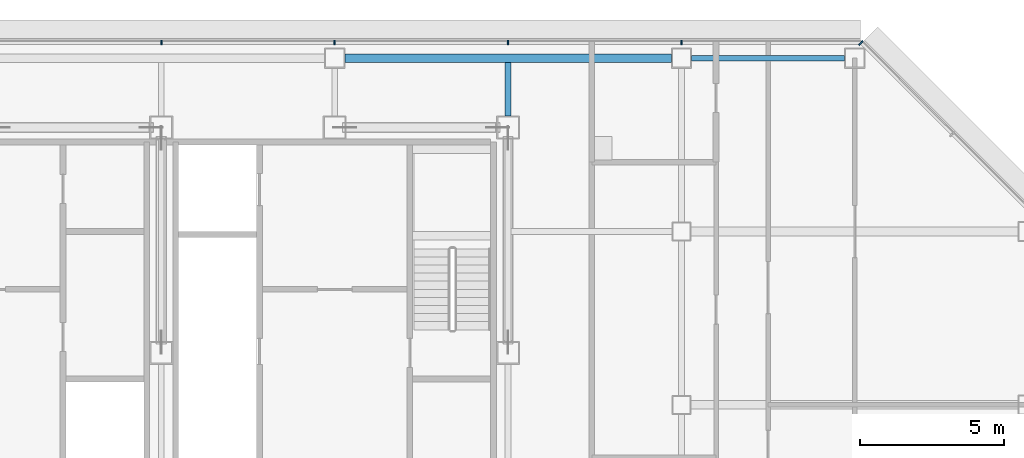
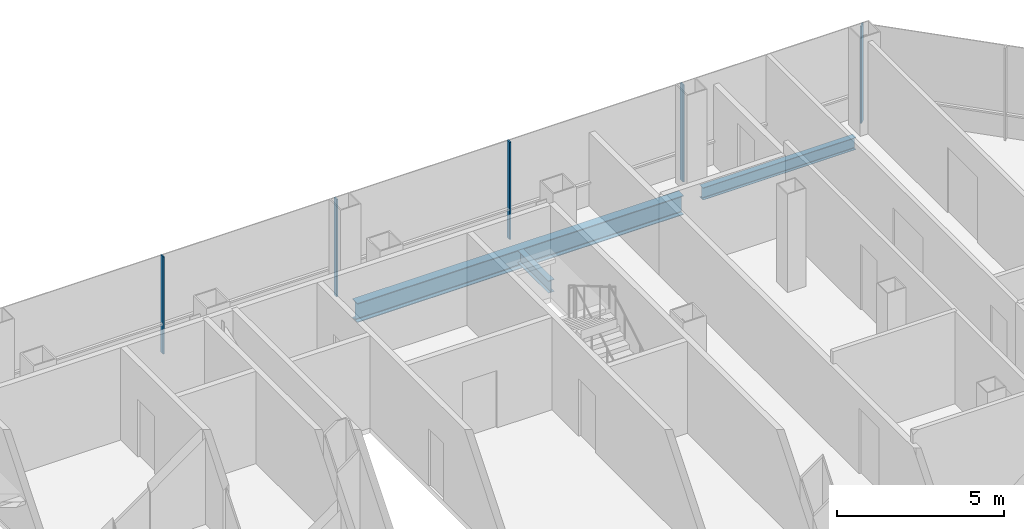
# One storey, part 14 of 26: 5 members, 3 beams, 2 elements without a shape of their own.
"""IFC4 building model written with IfcOpenShell, lengths in metres."""

from ifc_helpers import new_model, si_unit, direction, frame, origin, origin_2d, place, context, subcontext, project, spatial, rectangle, i_section, extrude, material, material_profile, profile_set, type_object, element, aggregate, save


model = new_model("IFC4")

# Units and contexts
model_context = context("Model", 3, precision=1e-05, world=origin(), true_north=direction((0.0, 1.0)))
body_context = subcontext(model_context, "Body", "Model", "MODEL_VIEW")
ifc_project = project(units=[si_unit("LENGTHUNIT", "METRE"), si_unit("AREAUNIT", "SQUARE_METRE"), si_unit("VOLUMEUNIT", "CUBIC_METRE"), si_unit("PLANEANGLEUNIT", "RADIAN"), si_unit("MASSUNIT", "GRAM", prefix="KILO")], contexts=[model_context])

# Site, building, storey
site_placement = place(None, origin())
site = spatial("IfcSite", under=ifc_project, at=site_placement, CompositionType="ELEMENT")
building_placement = place(site_placement, origin())
building = spatial("IfcBuilding", under=site, at=building_placement, Name="Sorahane Residences", CompositionType="ELEMENT")
storey_placement = place(building_placement, frame((0.0, 0.0, 158.199951171875)))
storey = spatial("IfcBuildingStorey", under=building, at=storey_placement, Name="L36", CompositionType="ELEMENT", Elevation=158.199951171875)

# Curtain wall, members
ifc_material_1 = material(Name="Dark low-e glass and black anodised aluminium", Category="aluminium")
curtain_wall_type_1 = type_object("IfcCurtainWallType", Name="Curtain wall CW-1 Typical unitised wall", PredefinedType="NOTDEFINED", material=ifc_material_1)
curtain_wall_1_placement = place(storey_placement, origin())
curtain_wall_1 = element("IfcCurtainWall", 1, at=curtain_wall_1_placement, inside=storey, type_object=curtain_wall_type_1, Name="CW-1 curtain wall L36 N1", PredefinedType="NOTDEFINED")
ifc_material_2 = material(Name="Black anodised aluminium", Category="aluminium")
ifc_material_profile_1 = material_profile(ifc_material_2, rectangle(XDim=0.159912109375, YDim=0.050048828125, at=origin_2d()), Name="Curtain wall mullion CW-1 black anodised aluminium 50x160")
ifc_profile_set_1 = profile_set([ifc_material_profile_1], Name="Black anodised aluminium")
member_type_1 = type_object("IfcMemberType", Name="Curtain wall mullion CW-1 black anodised aluminium 50x160", PredefinedType="MULLION", material=ifc_profile_set_1)
member_1_placement = place(storey_placement, frame((48.0, 48.5400390625, -0.179931640625), z_axis=(0.0, 0.0, 1.0), x_axis=(0.0, 1.0, 0.0)))
member_1 = element("IfcMember", 2, at=member_1_placement, type_object=member_type_1, Name="CW-1 mullion L36 N1.2", PredefinedType="MULLION", context=body_context, shape_type="SweptSolid", body=[
    extrude(rectangle(XDim=0.159912109375, YDim=0.050048828125, at=origin_2d()), origin(), (0.0, 0.0, 1.0), 3.56005859375),
])
member_2_placement = place(storey_placement, frame((42.0, 48.5400390625, -0.179931640625), z_axis=(0.0, 0.0, 1.0), x_axis=(0.0, 1.0, 0.0)))
member_2 = element("IfcMember", 3, at=member_2_placement, type_object=member_type_1, Name="CW-1 mullion L36 N1.3", PredefinedType="MULLION", context=body_context, shape_type="SweptSolid", body=[
    extrude(rectangle(XDim=0.159912109375, YDim=0.050048828125, at=origin_2d()), origin(), (0.0, 0.0, 1.0), 3.56005859375),
])
member_3_placement = place(storey_placement, frame((36.0, 48.5400390625, -0.179931640625), z_axis=(0.0, 0.0, 1.0), x_axis=(0.0, 1.0, 0.0)))
member_3 = element("IfcMember", 4, at=member_3_placement, type_object=member_type_1, Name="CW-1 mullion L36 N1.4", PredefinedType="MULLION", context=body_context, shape_type="SweptSolid", body=[
    extrude(rectangle(XDim=0.159912109375, YDim=0.050048828125, at=origin_2d()), origin(), (0.0, 0.0, 1.0), 3.56005859375),
])
member_4_placement = place(storey_placement, frame((30.0, 48.5400390625, -0.179931640625), z_axis=(0.0, 0.0, 1.0), x_axis=(0.0, 1.0, 0.0)))
member_4 = element("IfcMember", 5, at=member_4_placement, type_object=member_type_1, Name="CW-1 mullion L36 N1.5", PredefinedType="MULLION", context=body_context, shape_type="SweptSolid", body=[
    extrude(rectangle(XDim=0.159912109375, YDim=0.050048828125, at=origin_2d()), origin(), (0.0, 0.0, 1.0), 3.56005859375),
])
aggregate(curtain_wall_1, [member_1, member_2, member_3, member_4])

# Curtain wall, member
ifc_material_3 = material(Name="Dark low-e glass and black anodised aluminium", Category="aluminium")
curtain_wall_type_2 = type_object("IfcCurtainWallType", Name="Curtain wall CW-2 Chamfer unitised wall", PredefinedType="NOTDEFINED", material=ifc_material_3)
curtain_wall_2_placement = place(storey_placement, origin())
curtain_wall_2 = element("IfcCurtainWall", 6, at=curtain_wall_2_placement, inside=storey, type_object=curtain_wall_type_2, Name="CW-2 curtain wall L36 NE1", PredefinedType="NOTDEFINED")
ifc_material_4 = material(Name="Black anodised aluminium", Category="aluminium")
ifc_material_profile_2 = material_profile(ifc_material_4, rectangle(XDim=0.199951171875, YDim=0.050048828125, at=origin_2d()), Name="Curtain wall mullion CW-2 black anodised aluminium 50x200")
ifc_profile_set_2 = profile_set([ifc_material_profile_2], Name="Black anodised aluminium")
member_type_2 = type_object("IfcMemberType", Name="Curtain wall mullion CW-2 black anodised aluminium 50x200", PredefinedType="MULLION", material=ifc_profile_set_2)
member_5_placement = place(storey_placement, frame((54.209716796875, 48.525634765625, -0.179931640625), z_axis=(0.0, 0.0, 1.0), x_axis=(0.707106781187, 0.707106781187, 0.0)))
member_5 = element("IfcMember", 7, at=member_5_placement, type_object=member_type_2, Name="CW-2 mullion L36 NE1.3", PredefinedType="MULLION", context=body_context, shape_type="SweptSolid", body=[
    extrude(rectangle(XDim=0.199951171875, YDim=0.050048828125, at=origin_2d()), origin(), (0.0, 0.0, 1.0), 3.56005859375),
])
aggregate(curtain_wall_2, [member_5])

# Beams
ifc_material_5 = material(Name="Steel Q355B", Category="steel")
ifc_material_profile_3 = material_profile(ifc_material_5, i_section(OverallWidth=0.199951171875, OverallDepth=0.449951171875, WebThickness=0.009033203125, FlangeThickness=0.013916015625, FilletRadius=0.02001953125, at=origin_2d()), Name="HN 450x200x9x14")
ifc_profile_set_3 = profile_set([ifc_material_profile_3], Name="Steel Q355B")
beam_type_1 = type_object("IfcBeamType", Name="Steel floor beam HN 450x200x9x14 Q355B", PredefinedType="BEAM", material=ifc_profile_set_3)
beam_1_placement = place(storey_placement, frame((48.35009765625, 48.0, -0.405029296875), z_axis=(1.0, 0.0, 0.0), x_axis=(0.0, 1.0, 0.0)))
element("IfcBeam", 8, at=beam_1_placement, inside=storey, type_object=beam_type_1, Name="Beam L36 019", PredefinedType="BEAM", context=body_context, shape_type="SweptSolid", body=[
    extrude(i_section(OverallWidth=0.199951171875, OverallDepth=0.449951171875, WebThickness=0.009033203125, FlangeThickness=0.013916015625, FilletRadius=0.02001953125, at=origin_2d()), origin(), (0.0, 0.0, 1.0), 5.2998046875),
])
beam_2_placement = place(storey_placement, frame((42.0, 46.0, -0.405029296875), z_axis=(0.0, 1.0, 0.0), x_axis=(-1.0, 0.0, 0.0)))
element("IfcBeam", 9, at=beam_2_placement, inside=storey, type_object=beam_type_1, Name="Beam L36 057", PredefinedType="BEAM", context=body_context, shape_type="SweptSolid", body=[
    extrude(i_section(OverallWidth=0.199951171875, OverallDepth=0.449951171875, WebThickness=0.009033203125, FlangeThickness=0.013916015625, FilletRadius=0.02001953125, at=origin_2d()), origin(), (0.0, 0.0, 1.0), 1.85009765625),
])
ifc_material_6 = material(Name="Steel Q355B", Category="steel")
ifc_material_profile_4 = material_profile(ifc_material_6, i_section(OverallWidth=0.300048828125, OverallDepth=0.699951171875, WebThickness=0.012939453125, FlangeThickness=0.02392578125, FilletRadius=0.028076171875, at=origin_2d()), Name="HN 700x300x13x24")
ifc_profile_set_4 = profile_set([ifc_material_profile_4], Name="Steel Q355B")
beam_type_2 = type_object("IfcBeamType", Name="Steel floor beam HN 700x300x13x24 Q355B", PredefinedType="BEAM", material=ifc_profile_set_4)
beam_3_placement = place(storey_placement, frame((36.35009765625, 48.0, -0.530029296875), z_axis=(1.0, 0.0, 0.0), x_axis=(0.0, 1.0, 0.0)))
element("IfcBeam", 10, at=beam_3_placement, inside=storey, type_object=beam_type_2, Name="Beam L36 018", PredefinedType="BEAM", context=body_context, shape_type="SweptSolid", body=[
    extrude(i_section(OverallWidth=0.300048828125, OverallDepth=0.699951171875, WebThickness=0.012939453125, FlangeThickness=0.02392578125, FilletRadius=0.028076171875, at=origin_2d()), origin(), (0.0, 0.0, 1.0), 11.2998046875),
])

save(model, "model.ifc")
